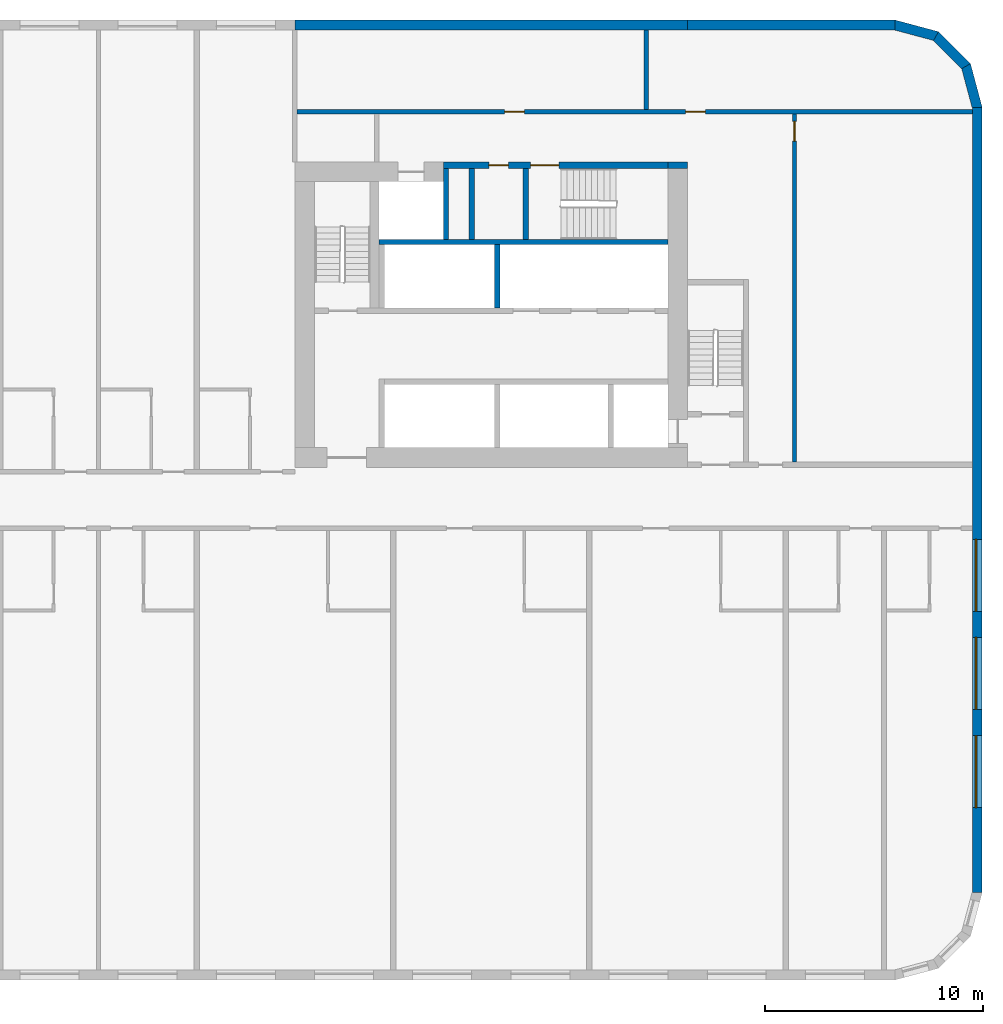
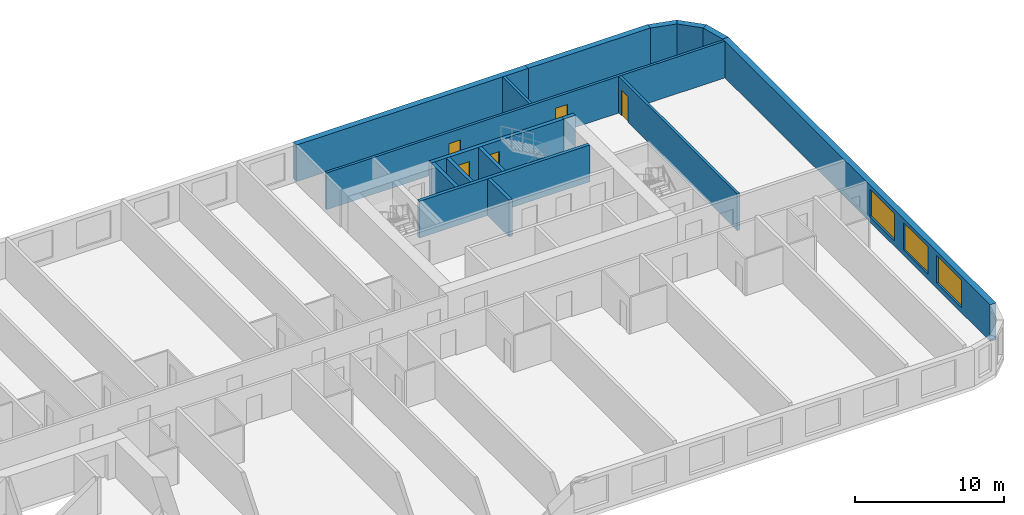
# One storey, part 8 of 12: 16 walls, 5 doors, 3 windows, 8 openings.
"""IFC4 building model written with IfcOpenShell, lengths in metres."""

from ifc_helpers import new_model, si_unit, direction, frame, frame_2d, origin, place, context, subcontext, project, spatial, polyline, rectangle, outline, extrude, material, layer, layer_set, type_object, element, fill, save


model = new_model("IFC4")

# Units and contexts
model_context = context("Model", 3, precision=1e-05, world=origin(), true_north=direction((0.0, 1.0)))
body_context = subcontext(model_context, "Body", "Model", "MODEL_VIEW")
ifc_project = project(units=[si_unit("LENGTHUNIT", "METRE"), si_unit("AREAUNIT", "SQUARE_METRE"), si_unit("VOLUMEUNIT", "CUBIC_METRE"), si_unit("PLANEANGLEUNIT", "RADIAN"), si_unit("MASSUNIT", "GRAM", prefix="KILO")], contexts=[model_context])

# Site, building, storey
site_placement = place(None, origin())
site = spatial("IfcSite", under=ifc_project, at=site_placement, CompositionType="ELEMENT")
building_placement = place(site_placement, origin())
building = spatial("IfcBuilding", under=site, at=building_placement, Name="Kajstack Hotel Tower", CompositionType="ELEMENT")
storey_placement = place(building_placement, frame((0.0, 0.0, 66.60009765625)))
storey = spatial("IfcBuildingStorey", under=building, at=storey_placement, Name="L11", CompositionType="ELEMENT", Elevation=66.60009765625)

# Walls
ifc_material_1 = material(Name="Concrete C60/75", Category="concrete")
ifc_layer_1 = layer(ifc_material_1, 0.89990234375)
ifc_layer_set_1 = layer_set([ifc_layer_1], Name="Core wall 900")
wall_type_1 = type_object("IfcWallType", Name="Core wall 900", PredefinedType="SHEAR", material=ifc_layer_set_1)
wall_1_placement = place(storey_placement, frame((30.60009765625, 15.35009765625, 0.0), z_axis=(0.0, 0.0, 1.0), x_axis=(1.0, 0.0, 0.0)))
element("IfcWall", 1, at=wall_1_placement, inside=storey, type_object=wall_type_1, Name="Core wall E RSW", PredefinedType="SHEAR", context=body_context, shape_type="SweptSolid", body=[
    extrude(rectangle(XDim=0.89990234375, YDim=0.300048828125, at=frame_2d((0.449951171875, 0.0))), origin(), (0.0, 0.0, 1.0), 3.02001953125),
])
ifc_material_2 = material(Name="Concrete C40/50", Category="concrete")
ifc_layer_2 = layer(ifc_material_2, 0.449951171875)
ifc_layer_set_2 = layer_set([ifc_layer_2], Name="EW-CORE")
wall_type_2 = type_object("IfcWallType", Name="EW-CORE", PredefinedType="SOLIDWALL", material=ifc_layer_set_2)
wall_2_placement = place(storey_placement, frame((31.5, 21.77490234375, 0.0), z_axis=(0.0, 0.0, 1.0), x_axis=(-1.0, 0.0, 0.0)))
element("IfcWall", 2, at=wall_2_placement, inside=storey, type_object=wall_type_2, Name="E-wall-L11-11-01", PredefinedType="SOLIDWALL", context=body_context, shape_type="SweptSolid", body=[
    extrude(rectangle(XDim=18.0, YDim=0.449951171875, at=frame_2d((9.0, 0.0))), origin(), (0.0, 0.0, 1.0), 3.02001953125),
])

# Wall, openings, windows
ifc_material_3 = material(Name="Terracotta-faced brick masonry", Category="masonry")
ifc_layer_3 = layer(ifc_material_3, 0.449951171875)
ifc_layer_set_3 = layer_set([ifc_layer_3], Name="EW-TERRA")
wall_type_3 = type_object("IfcWallType", Name="EW-TERRA", PredefinedType="SOLIDWALL", material=ifc_layer_set_3)
wall_3_placement = place(storey_placement, frame((44.77490234375, -18.0, 0.0), z_axis=(0.0, 0.0, 1.0), x_axis=(0.0, 1.0, 0.0)))
wall_3 = element("IfcWall", 3, at=wall_3_placement, inside=storey, type_object=wall_type_3, Name="E-wall-L11-07-00", PredefinedType="SOLIDWALL", context=body_context, shape_type="SweptSolid", body=[
    extrude(rectangle(XDim=36.0, YDim=0.449951171875, at=frame_2d((18.0, 0.0))), origin(), (0.0, 0.0, 1.0), 3.02001953125),
])
opening_1_placement = place(wall_3_placement, frame((3.89990234375, 0.0, 0.449951171875)))
opening_1 = element("IfcOpeningElement", 4, at=opening_1_placement, cuts=wall_3, Name="Opening W2", PredefinedType="OPENING", context=body_context, shape_type="SweptSolid", body=[
    extrude(rectangle(XDim=3.300048828125, YDim=2.25, at=frame_2d((1.64990234375, 1.125))), frame((0.0, 0.23486328125, 0.0), z_axis=(0.0, -1.0, 0.0), x_axis=(1.0, 0.0, 0.0)), (0.0, 0.0, 1.0), 0.469970703125),
])
opening_2_placement = place(wall_3_placement, frame((8.39990234375, 0.0, 0.449951171875)))
opening_2 = element("IfcOpeningElement", 5, at=opening_2_placement, cuts=wall_3, Name="Opening W2", PredefinedType="OPENING", context=body_context, shape_type="SweptSolid", body=[
    extrude(rectangle(XDim=3.300048828125, YDim=2.25, at=frame_2d((1.64990234375, 1.125))), frame((0.0, 0.23486328125, 0.0), z_axis=(0.0, -1.0, 0.0), x_axis=(1.0, 0.0, 0.0)), (0.0, 0.0, 1.0), 0.469970703125),
])
opening_3_placement = place(wall_3_placement, frame((12.89990234375, 0.0, 0.449951171875)))
opening_3 = element("IfcOpeningElement", 6, at=opening_3_placement, cuts=wall_3, Name="Opening W2", PredefinedType="OPENING", context=body_context, shape_type="SweptSolid", body=[
    extrude(rectangle(XDim=3.300048828125, YDim=2.25, at=frame_2d((1.64990234375, 1.125))), frame((0.0, 0.23486328125, 0.0), z_axis=(0.0, -1.0, 0.0), x_axis=(1.0, 0.0, 0.0)), (0.0, 0.0, 1.0), 0.469970703125),
])
ifc_material_4 = material(Name="Timber-aluminium window, triple glazed", Category="wood")
window_type = type_object("IfcWindowType", Name="WG2", PartitioningType="SINGLE_PANEL", PredefinedType="WINDOW", material=ifc_material_4)
window_1_placement = place(opening_1_placement, origin())
window_1 = element("IfcWindow", 7, at=window_1_placement, inside=storey, type_object=window_type, Name="Window W2 L11-07", OverallHeight=2.25, OverallWidth=3.300048828125, PartitioningType="SINGLE_PANEL", PredefinedType="WINDOW", context=body_context, shape_type="SweptSolid", body=[
    extrude(rectangle(XDim=3.300048828125, YDim=2.25, at=frame_2d((1.64990234375, 1.125))), frame((0.0, 0.090087890625, 0.0), z_axis=(0.0, -1.0, 0.0), x_axis=(1.0, 0.0, 0.0)), (0.0, 0.0, 1.0), 0.06005859375),
])
fill(opening_1, window_1)
window_2_placement = place(opening_2_placement, origin())
window_2 = element("IfcWindow", 8, at=window_2_placement, inside=storey, type_object=window_type, Name="Window W2 L11-07", OverallHeight=2.25, OverallWidth=3.300048828125, PartitioningType="SINGLE_PANEL", PredefinedType="WINDOW", context=body_context, shape_type="SweptSolid", body=[
    extrude(rectangle(XDim=3.300048828125, YDim=2.25, at=frame_2d((1.64990234375, 1.125))), frame((0.0, 0.090087890625, 0.0), z_axis=(0.0, -1.0, 0.0), x_axis=(1.0, 0.0, 0.0)), (0.0, 0.0, 1.0), 0.06005859375),
])
fill(opening_2, window_2)
window_3_placement = place(opening_3_placement, origin())
window_3 = element("IfcWindow", 9, at=window_3_placement, inside=storey, type_object=window_type, Name="Window W2 L11-07", OverallHeight=2.25, OverallWidth=3.300048828125, PartitioningType="SINGLE_PANEL", PredefinedType="WINDOW", context=body_context, shape_type="SweptSolid", body=[
    extrude(rectangle(XDim=3.300048828125, YDim=2.25, at=frame_2d((1.64990234375, 1.125))), frame((0.0, 0.090087890625, 0.0), z_axis=(0.0, -1.0, 0.0), x_axis=(1.0, 0.0, 0.0)), (0.0, 0.0, 1.0), 0.06005859375),
])
fill(opening_3, window_3)

# Walls
wall_4_placement = place(storey_placement, frame((44.78271484375, 17.941650390625, 0.0), z_axis=(0.0, 0.0, 1.0), x_axis=(-0.25881466832, 0.965926999034, 0.0)))
element("IfcWall", 10, at=wall_4_placement, inside=storey, type_object=wall_type_3, Name="E-wall-L11-08-00", PredefinedType="SOLIDWALL", context=body_context, shape_type="SweptSolid", body=[
    extrude(outline(polyline([(0.000244140625, -0.22509765625), (2.070556640625, -0.224853515625), (1.9501953125, 0.22509765625), (0.12060546875, 0.22509765625), (0.000244140625, -0.22509765625)])), origin(), (0.0, 0.0, 1.0), 3.02001953125),
])
wall_5_placement = place(storey_placement, frame((44.304931640625, 19.8408203125, 0.0), z_axis=(0.0, 0.0, 1.0), x_axis=(-0.707106781187, 0.707106781187, 0.0)))
element("IfcWall", 11, at=wall_5_placement, inside=storey, type_object=wall_type_3, Name="E-wall-L11-09-00", PredefinedType="SOLIDWALL", context=body_context, shape_type="SweptSolid", body=[
    extrude(outline(polyline([(0.0, -0.22509765625), (2.070556640625, -0.22509765625), (1.949951171875, 0.224853515625), (0.12060546875, 0.224853515625), (0.0, -0.22509765625)])), origin(), (0.0, 0.0, 1.0), 3.02001953125),
])
wall_6_placement = place(storey_placement, frame((42.941650390625, 21.246826171875, 0.0), z_axis=(0.0, 0.0, 1.0), x_axis=(-0.965926999034, 0.25881466832, 0.0)))
element("IfcWall", 12, at=wall_6_placement, inside=storey, type_object=wall_type_3, Name="E-wall-L11-10-00", PredefinedType="SOLIDWALL", context=body_context, shape_type="SweptSolid", body=[
    extrude(outline(polyline([(-0.000244140625, -0.224853515625), (2.0703125, -0.22509765625), (1.949951171875, 0.22509765625), (0.120361328125, 0.22509765625), (-0.000244140625, -0.224853515625)])), origin(), (0.0, 0.0, 1.0), 3.02001953125),
])
wall_7_placement = place(storey_placement, frame((41.0, 21.77490234375, 0.0), z_axis=(0.0, 0.0, 1.0), x_axis=(-1.0, 0.0, 0.0)))
element("IfcWall", 13, at=wall_7_placement, inside=storey, type_object=wall_type_3, Name="E-wall-L11-11-00", PredefinedType="SOLIDWALL", context=body_context, shape_type="SweptSolid", body=[
    extrude(rectangle(XDim=9.5, YDim=0.449951171875, at=frame_2d((4.75, 0.0))), origin(), (0.0, 0.0, 1.0), 3.02001953125),
])
ifc_material_5 = material(Name="Concrete C50/60", Category="concrete")
ifc_layer_4 = layer(ifc_material_5, 0.300048828125)
ifc_layer_set_4 = layer_set([ifc_layer_4], Name="Hoistway divider wall 300")
wall_type_4 = type_object("IfcWallType", Name="Hoistway divider wall 300", PredefinedType="SHEAR", material=ifc_layer_set_4)
wall_8_placement = place(storey_placement, frame((22.77490234375, 8.800048828125, 0.0), z_axis=(0.0, 0.0, 1.0), x_axis=(0.0, 1.0, 0.0)))
element("IfcWall", 14, at=wall_8_placement, inside=storey, type_object=wall_type_4, Name="Core wall E BP2", PredefinedType="SHEAR", context=body_context, shape_type="SweptSolid", body=[
    extrude(rectangle(XDim=2.89990234375, YDim=0.25, at=frame_2d((1.449951171875, 0.0))), origin(), (0.0, 0.0, 1.0), 3.02001953125),
])
ifc_material_6 = material(Name="Concrete block masonry", Category="masonry")
ifc_layer_5 = layer(ifc_material_6, 0.25)
ifc_layer_set_5 = layer_set([ifc_layer_5], Name="Riser partition 250")
wall_type_5 = type_object("IfcWallType", Name="Riser partition 250", PredefinedType="PARTITIONING", material=ifc_layer_set_5)
wall_9_placement = place(storey_placement, frame((21.60009765625, 11.949951171875, 0.0), z_axis=(0.0, 0.0, 1.0), x_axis=(0.0, 1.0, 0.0)))
element("IfcWall", 15, at=wall_9_placement, inside=storey, type_object=wall_type_5, Name="Partition E SZ0", PredefinedType="PARTITIONING", context=body_context, shape_type="SweptSolid", body=[
    extrude(rectangle(XDim=3.25, YDim=0.25, at=frame_2d((1.625, 0.0))), origin(), (0.0, 0.0, 1.0), 3.02001953125),
])

# Wall, opening, door
ifc_material_7 = material(Name="Gypsum board on steel studs, mineral wool", Category="steel")
ifc_layer_6 = layer(ifc_material_7, 0.199951171875)
ifc_layer_set_6 = layer_set([ifc_layer_6], Name="Service partition 200")
wall_type_6 = type_object("IfcWallType", Name="Service partition 200", PredefinedType="PARTITIONING", material=ifc_layer_set_6)
wall_10_placement = place(storey_placement, frame((36.39990234375, 1.75, 0.0), z_axis=(0.0, 0.0, 1.0), x_axis=(0.0, 1.0, 0.0)))
wall_10 = element("IfcWall", 16, at=wall_10_placement, inside=storey, type_object=wall_type_6, Name="Partition E WRE", PredefinedType="PARTITIONING", context=body_context, shape_type="SweptSolid", body=[
    extrude(rectangle(XDim=15.949951171875, YDim=0.199951171875, at=frame_2d((7.97509765625, 0.0))), origin(), (0.0, 0.0, 1.0), 3.02001953125),
])
opening_4_placement = place(wall_10_placement, frame((14.699951171875, 0.0, 0.0)))
opening_4 = element("IfcOpeningElement", 17, at=opening_4_placement, cuts=wall_10, Name="Opening 11E15", PredefinedType="OPENING", context=body_context, shape_type="SweptSolid", body=[
    extrude(rectangle(XDim=0.89990234375, YDim=2.10009765625, at=frame_2d((0.449951171875, 1.050048828125))), frame((0.0, 0.10986328125, 0.0), z_axis=(0.0, -1.0, 0.0), x_axis=(1.0, 0.0, 0.0)), (0.0, 0.0, 1.0), 0.219970703125),
])
ifc_material_8 = material(Name="Timber leaf, fire-rated", Category="wood")
door_type_1 = type_object("IfcDoorType", Name="Service door 900", OperationType="SINGLE_SWING_LEFT", PredefinedType="DOOR", material=ifc_material_8)
door_1_placement = place(opening_4_placement, origin())
door_1 = element("IfcDoor", 18, at=door_1_placement, inside=storey, type_object=door_type_1, Name="Door 11E15", OperationType="SINGLE_SWING_RIGHT", OverallHeight=2.10009765625, OverallWidth=0.89990234375, PredefinedType="DOOR", context=body_context, shape_type="SweptSolid", body=[
    extrude(rectangle(XDim=0.89990234375, YDim=2.10009765625, at=frame_2d((0.449951171875, 1.050048828125))), frame((0.0, 0.02490234375, 0.0), z_axis=(0.0, -1.0, 0.0), x_axis=(1.0, 0.0, 0.0)), (0.0, 0.0, 1.0), 0.050048828125),
])
fill(opening_4, door_1)

# Wall, openings, doors
wall_11_placement = place(storey_placement, frame((13.60009765625, 17.800048828125, 0.0), z_axis=(0.0, 0.0, 1.0), x_axis=(1.0, 0.0, 0.0)))
wall_11 = element("IfcWall", 19, at=wall_11_placement, inside=storey, type_object=wall_type_6, Name="Partition E SLN", PredefinedType="PARTITIONING", context=body_context, shape_type="SweptSolid", body=[
    extrude(rectangle(XDim=30.949951171875, YDim=0.199951171875, at=frame_2d((15.47509765625, 0.0))), origin(), (0.0, 0.0, 1.0), 3.02001953125),
])
opening_5_placement = place(wall_11_placement, frame((17.8125, 0.0, 0.0)))
opening_5 = element("IfcOpeningElement", 20, at=opening_5_placement, cuts=wall_11, Name="Opening 11E13", PredefinedType="OPENING", context=body_context, shape_type="SweptSolid", body=[
    extrude(rectangle(XDim=0.89990234375, YDim=2.10009765625, at=frame_2d((0.449951171875, 1.050048828125))), frame((0.0, 0.10986328125, 0.0), z_axis=(0.0, -1.0, 0.0), x_axis=(1.0, 0.0, 0.0)), (0.0, 0.0, 1.0), 0.219970703125),
])
opening_6_placement = place(wall_11_placement, frame((9.512451171875, 0.0, 0.0)))
opening_6 = element("IfcOpeningElement", 21, at=opening_6_placement, cuts=wall_11, Name="Opening 11E14", PredefinedType="OPENING", context=body_context, shape_type="SweptSolid", body=[
    extrude(rectangle(XDim=0.89990234375, YDim=2.10009765625, at=frame_2d((0.449951171875, 1.050048828125))), frame((0.0, 0.10986328125, 0.0), z_axis=(0.0, -1.0, 0.0), x_axis=(1.0, 0.0, 0.0)), (0.0, 0.0, 1.0), 0.219970703125),
])
door_2_placement = place(opening_5_placement, origin())
door_2 = element("IfcDoor", 22, at=door_2_placement, inside=storey, type_object=door_type_1, Name="Door 11E13", OperationType="SINGLE_SWING_LEFT", OverallHeight=2.10009765625, OverallWidth=0.89990234375, PredefinedType="DOOR", context=body_context, shape_type="SweptSolid", body=[
    extrude(rectangle(XDim=0.89990234375, YDim=2.10009765625, at=frame_2d((0.449951171875, 1.050048828125))), frame((0.0, 0.02490234375, 0.0), z_axis=(0.0, -1.0, 0.0), x_axis=(1.0, 0.0, 0.0)), (0.0, 0.0, 1.0), 0.050048828125),
])
fill(opening_5, door_2)
door_3_placement = place(opening_6_placement, origin())
door_3 = element("IfcDoor", 23, at=door_3_placement, inside=storey, type_object=door_type_1, Name="Door 11E14", OperationType="SINGLE_SWING_LEFT", OverallHeight=2.10009765625, OverallWidth=0.89990234375, PredefinedType="DOOR", context=body_context, shape_type="SweptSolid", body=[
    extrude(rectangle(XDim=0.89990234375, YDim=2.10009765625, at=frame_2d((0.449951171875, 1.050048828125))), frame((0.0, 0.02490234375, 0.0), z_axis=(0.0, -1.0, 0.0), x_axis=(1.0, 0.0, 0.0)), (0.0, 0.0, 1.0), 0.050048828125),
])
fill(opening_6, door_3)

# Wall
wall_12_placement = place(storey_placement, frame((29.60009765625, 17.89990234375, 0.0), z_axis=(0.0, 0.0, 1.0), x_axis=(0.0, 1.0, 0.0)))
element("IfcWall", 24, at=wall_12_placement, inside=storey, type_object=wall_type_6, Name="Partition E SLP0", PredefinedType="PARTITIONING", context=body_context, shape_type="SweptSolid", body=[
    extrude(rectangle(XDim=3.650146484375, YDim=0.199951171875, at=frame_2d((1.8251953125, 0.0))), origin(), (0.0, 0.0, 1.0), 3.02001953125),
])

# Wall, openings, doors
ifc_layer_7 = layer(ifc_material_5, 0.25)
ifc_layer_set_7 = layer_set([ifc_layer_7], Name="Shaft wall 250")
wall_type_7 = type_object("IfcWallType", Name="Shaft wall 250", PredefinedType="SHEAR", material=ifc_layer_set_7)
wall_13_placement = place(storey_placement, frame((20.300048828125, 15.35009765625, 0.0), z_axis=(0.0, 0.0, 1.0), x_axis=(1.0, 0.0, 0.0)))
wall_13 = element("IfcWall", 25, at=wall_13_placement, inside=storey, type_object=wall_type_7, Name="Core wall E RSS", PredefinedType="SHEAR", context=body_context, shape_type="SweptSolid", body=[
    extrude(rectangle(XDim=10.300048828125, YDim=0.300048828125, at=frame_2d((5.14990234375, 0.0))), origin(), (0.0, 0.0, 1.0), 3.02001953125),
])
opening_7_placement = place(wall_13_placement, frame((4.0, 0.0, 0.0)))
opening_7 = element("IfcOpeningElement", 26, at=opening_7_placement, cuts=wall_13, Name="Opening 11E11", PredefinedType="OPENING", context=body_context, shape_type="SweptSolid", body=[
    extrude(rectangle(XDim=1.300048828125, YDim=2.10009765625, at=frame_2d((0.64990234375, 1.050048828125))), frame((0.0, 0.159912109375, 0.0), z_axis=(0.0, -1.0, 0.0), x_axis=(1.0, 0.0, 0.0)), (0.0, 0.0, 1.0), 0.320068359375),
])
opening_8_placement = place(wall_13_placement, frame((2.08740234375, 0.0, 0.0)))
opening_8 = element("IfcOpeningElement", 27, at=opening_8_placement, cuts=wall_13, Name="Opening 11E12", PredefinedType="OPENING", context=body_context, shape_type="SweptSolid", body=[
    extrude(rectangle(XDim=0.89990234375, YDim=2.10009765625, at=frame_2d((0.449951171875, 1.050048828125))), frame((0.0, 0.159912109375, 0.0), z_axis=(0.0, -1.0, 0.0), x_axis=(1.0, 0.0, 0.0)), (0.0, 0.0, 1.0), 0.320068359375),
])
door_4_placement = place(opening_8_placement, origin())
door_4 = element("IfcDoor", 28, at=door_4_placement, inside=storey, type_object=door_type_1, Name="Door 11E12", OperationType="SINGLE_SWING_RIGHT", OverallHeight=2.10009765625, OverallWidth=0.89990234375, PredefinedType="DOOR", context=body_context, shape_type="SweptSolid", body=[
    extrude(rectangle(XDim=0.89990234375, YDim=2.10009765625, at=frame_2d((0.449951171875, 1.050048828125))), frame((0.0, 0.02490234375, 0.0), z_axis=(0.0, -1.0, 0.0), x_axis=(1.0, 0.0, 0.0)), (0.0, 0.0, 1.0), 0.050048828125),
])
fill(opening_8, door_4)
ifc_material_9 = material(Name="Steel leaf, fire-rated", Category="steel")
door_type_2 = type_object("IfcDoorType", Name="Stair door 1300", OperationType="SINGLE_SWING_LEFT", PredefinedType="DOOR", material=ifc_material_9)
door_5_placement = place(opening_7_placement, origin())
door_5 = element("IfcDoor", 29, at=door_5_placement, inside=storey, type_object=door_type_2, Name="Door 11E11", OperationType="SINGLE_SWING_LEFT", OverallHeight=2.10009765625, OverallWidth=1.300048828125, PredefinedType="DOOR", context=body_context, shape_type="SweptSolid", body=[
    extrude(rectangle(XDim=1.300048828125, YDim=2.10009765625, at=frame_2d((0.64990234375, 1.050048828125))), frame((0.0, 0.02490234375, 0.0), z_axis=(0.0, -1.0, 0.0), x_axis=(1.0, 0.0, 0.0)), (0.0, 0.0, 1.0), 0.050048828125),
])
fill(opening_7, door_5)

# Walls
wall_14_placement = place(storey_placement, frame((17.35009765625, 11.824951171875, 0.0), z_axis=(0.0, 0.0, 1.0), x_axis=(1.0, 0.0, 0.0)))
element("IfcWall", 30, at=wall_14_placement, inside=storey, type_object=wall_type_7, Name="Core wall E RB", PredefinedType="SHEAR", context=body_context, shape_type="SweptSolid", body=[
    extrude(rectangle(XDim=13.25, YDim=0.25, at=frame_2d((6.625, 0.0))), origin(), (0.0, 0.0, 1.0), 3.02001953125),
])
wall_15_placement = place(storey_placement, frame((20.425048828125, 11.949951171875, 0.0), z_axis=(0.0, 0.0, 1.0), x_axis=(0.0, 1.0, 0.0)))
element("IfcWall", 31, at=wall_15_placement, inside=storey, type_object=wall_type_7, Name="Core wall E SVW", PredefinedType="SHEAR", context=body_context, shape_type="SweptSolid", body=[
    extrude(rectangle(XDim=3.25, YDim=0.25, at=frame_2d((1.625, 0.0))), origin(), (0.0, 0.0, 1.0), 3.02001953125),
])
ifc_layer_8 = layer(ifc_material_5, 0.35009765625)
ifc_layer_set_8 = layer_set([ifc_layer_8], Name="Stair enclosure wall 350")
wall_type_8 = type_object("IfcWallType", Name="Stair enclosure wall 350", PredefinedType="SHEAR", material=ifc_layer_set_8)
wall_16_placement = place(storey_placement, frame((24.074951171875, 11.949951171875, 0.0), z_axis=(0.0, 0.0, 1.0), x_axis=(0.0, 1.0, 0.0)))
element("IfcWall", 32, at=wall_16_placement, inside=storey, type_object=wall_type_8, Name="Core wall E W3E", PredefinedType="SHEAR", context=body_context, shape_type="SweptSolid", body=[
    extrude(rectangle(XDim=3.25, YDim=0.25, at=frame_2d((1.625, 0.0))), origin(), (0.0, 0.0, 1.0), 3.02001953125),
])

save(model, "model.ifc")
